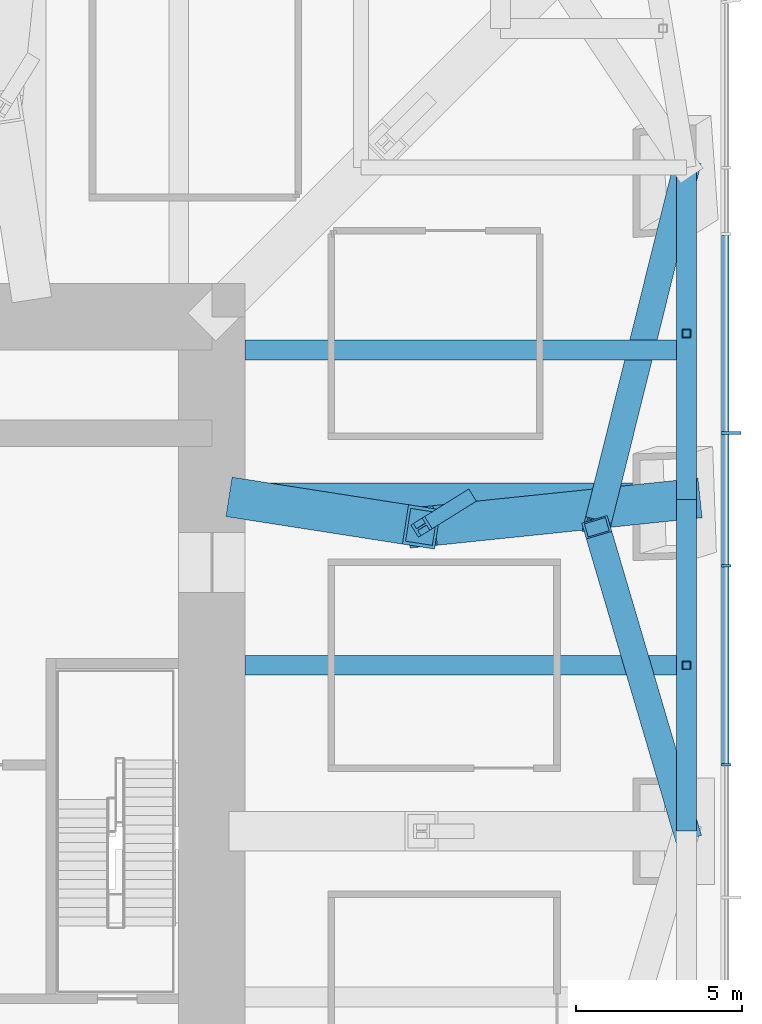
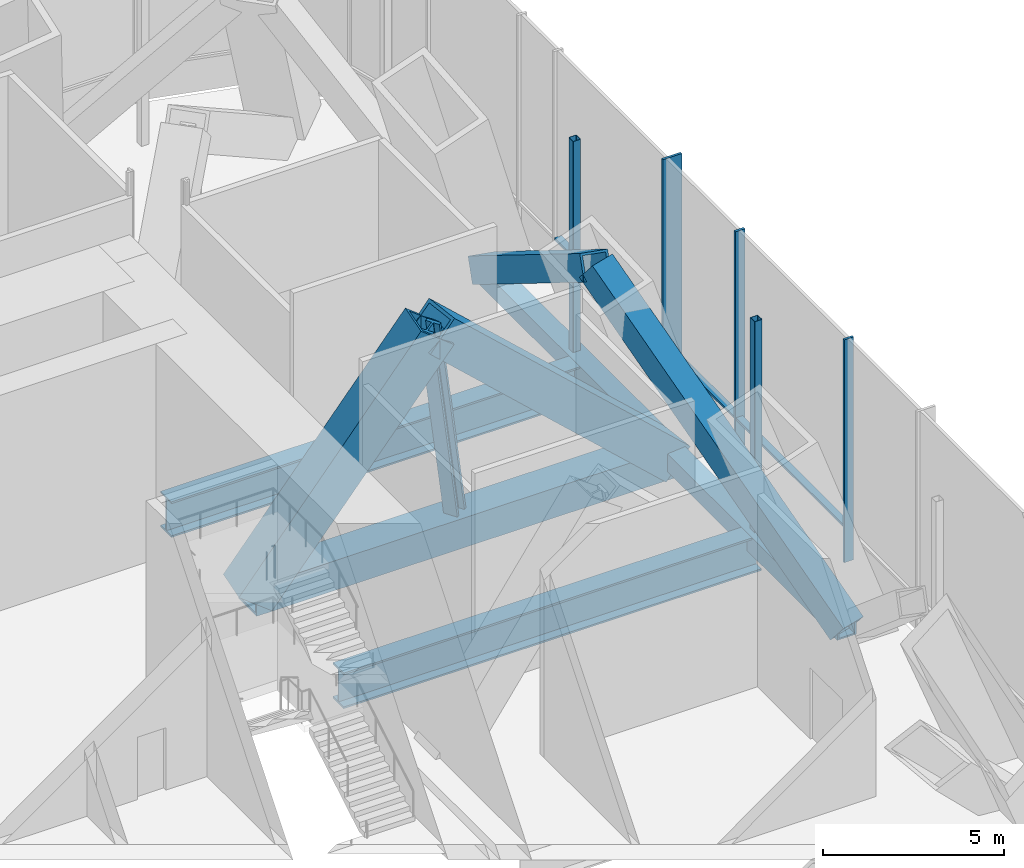
# One storey, part 8 of 20: 16 members, 2 beams, 1 element without a shape of its own.
"""IFC4 building model written with IfcOpenShell, lengths in metres."""

from ifc_helpers import new_model, si_unit, direction, frame, origin, origin_2d, place, context, subcontext, project, spatial, rectangle, hollow_rectangle, i_section, extrude, material, material_profile, profile_set, type_object, element, aggregate, save


model = new_model("IFC4")

# Units and contexts
model_context = context("Model", 3, precision=1e-05, world=origin(), true_north=direction((0.0, 1.0)))
body_context = subcontext(model_context, "Body", "Model", "MODEL_VIEW")
ifc_project = project(units=[si_unit("LENGTHUNIT", "METRE"), si_unit("AREAUNIT", "SQUARE_METRE"), si_unit("VOLUMEUNIT", "CUBIC_METRE"), si_unit("PLANEANGLEUNIT", "RADIAN"), si_unit("MASSUNIT", "GRAM", prefix="KILO")], contexts=[model_context])

# Site, building, storey
site_placement = place(None, origin())
site = spatial("IfcSite", under=ifc_project, at=site_placement, CompositionType="ELEMENT")
building_placement = place(site_placement, origin())
building = spatial("IfcBuilding", under=site, at=building_placement, Name="Khuree Lantern Residences", CompositionType="ELEMENT")
storey_placement = place(building_placement, frame((0.0, 0.0, 99.75)))
storey = spatial("IfcBuildingStorey", under=building, at=storey_placement, Name="L25", CompositionType="ELEMENT", Elevation=99.75)

# Beams
ifc_material_1 = material(Name="Steel S355", Category="steel")
ifc_material_profile_1 = material_profile(ifc_material_1, i_section(OverallWidth=0.60009765625, OverallDepth=1.199951171875, WebThickness=0.030029296875, FlangeThickness=0.06005859375, at=origin_2d()), Name="WELDED I 1200X600X30X60")
ifc_profile_set_1 = profile_set([ifc_material_profile_1], Name="Steel S355")
beam_type = type_object("IfcBeamType", Name="B-25 SECONDARY BEAM WELDED I 1200X600X30X60", PredefinedType="BEAM", material=ifc_profile_set_1)
for number, where, z_axis, x_axis, name in (
    (1, (29.800048828125, 14.5, -0.949951171875), (-1.0, 0.0, 0.0), (0.0, -1.0, 0.0), "Secondary beam E2"),
    (2, (29.800048828125, 5.0, -0.949951171875), (-1.0, 0.0, 0.0), (0.0, -1.0, 0.0), "Secondary beam E3"),
):
    element("IfcBeam", number, at=place(storey_placement, frame(where, z_axis=z_axis, x_axis=x_axis)), inside=storey, type_object=beam_type, Name=name, PredefinedType="BEAM", context=body_context, shape_type="SweptSolid", body=[
        extrude(i_section(OverallWidth=0.60009765625, OverallDepth=1.199951171875, WebThickness=0.030029296875, FlangeThickness=0.06005859375, at=origin_2d()), origin(), (0.0, 0.0, 1.0), 13.300048828125),
    ])

# Members
ifc_material_profile_2 = material_profile(ifc_material_1, hollow_rectangle(XDim=0.800048828125, YDim=0.800048828125, WallThickness=0.070068359375, at=origin_2d()), Name="WELDED BOX 800X800X70")
ifc_profile_set_2 = profile_set([ifc_material_profile_2], Name="Steel S355")
member_type_1 = type_object("IfcMemberType", Name="BD-25 BELT TRUSS DIAGONAL WELDED BOX 800X800X70", PredefinedType="BRACE", material=ifc_profile_set_2)
member_1_placement = place(storey_placement, frame((29.800048828125, 20.0, -0.64990234375), z_axis=(-0.199829234991, -0.802298387089, 0.562481621849), x_axis=(0.970354244709, -0.241687069936, 0.0)))
element("IfcMember", 3, at=member_1_placement, inside=storey, type_object=member_type_1, Name="Belt truss diagonal E2", PredefinedType="BRACE", context=body_context, shape_type="SweptSolid", body=[
    extrude(hollow_rectangle(XDim=0.800048828125, YDim=0.800048828125, WallThickness=0.070068359375, at=origin_2d()), origin(), (0.0, 0.0, 1.0), 13.51123046875),
])
member_2_placement = place(storey_placement, frame((27.10009765625, 9.159912109375, 6.949951171875), z_axis=(0.22122462626, -0.750531400006, -0.622705614509), x_axis=(0.959199239774, 0.282731000098, 0.0)))
element("IfcMember", 4, at=member_2_placement, inside=storey, type_object=member_type_1, Name="Belt truss diagonal E3", PredefinedType="BRACE", context=body_context, shape_type="SweptSolid", body=[
    extrude(hollow_rectangle(XDim=0.800048828125, YDim=0.800048828125, WallThickness=0.070068359375, at=origin_2d()), origin(), (0.0, 0.0, 1.0), 12.20458984375),
])
ifc_material_profile_3 = material_profile(ifc_material_1, hollow_rectangle(XDim=0.60009765625, YDim=0.60009765625, WallThickness=0.050048828125, at=origin_2d()), Name="WELDED BOX 600X600X50")
ifc_profile_set_3 = profile_set([ifc_material_profile_3], Name="Steel S355")
member_type_2 = type_object("IfcMemberType", Name="BT-25 BELT TRUSS CHORD WELDED BOX 600X600X50", PredefinedType="CHORD", material=ifc_profile_set_3)
for number, where, z_axis, x_axis, name in (
    (5, (29.800048828125, 20.0, -0.64990234375), (0.0, -1.0, 0.0), (1.0, 0.0, 0.0), "Belt truss chord E2"),
    (6, (29.800048828125, 10.0, -0.64990234375), (0.0, -1.0, 0.0), (1.0, 0.0, 0.0), "Belt truss chord E3"),
):
    element("IfcMember", number, at=place(storey_placement, frame(where, z_axis=z_axis, x_axis=x_axis)), inside=storey, type_object=member_type_2, Name=name, PredefinedType="CHORD", context=body_context, shape_type="SweptSolid", body=[
        extrude(hollow_rectangle(XDim=0.60009765625, YDim=0.60009765625, WallThickness=0.050048828125, at=origin_2d()), origin(), (0.0, 0.0, 1.0), 10.0),
    ])

# Curtain wall, members
ifc_material_2 = material(Name="Bronze anodised aluminium", Category="aluminium")
curtain_wall_type = type_object("IfcCurtainWallType", Name="CW-G PLANT STOREY LOUVRED CURTAIN WALL", PredefinedType="USERDEFINED", material=ifc_material_2)
curtain_wall_placement = place(storey_placement, origin())
curtain_wall = element("IfcCurtainWall", 7, at=curtain_wall_placement, inside=storey, type_object=curtain_wall_type, Name="L25 EAST FACE CURTAIN WALL", ObjectType="Louvred curtain wall", PredefinedType="USERDEFINED")
ifc_material_profile_4 = material_profile(ifc_material_2, rectangle(XDim=0.080078125, YDim=0.60009765625, at=origin_2d()), Name="F2 80X600")
ifc_profile_set_4 = profile_set([ifc_material_profile_4], Name="Bronze anodised aluminium")
member_type_3 = type_object("IfcMemberType", Name="F2 BRONZE FIN MULLION PLANT 80X600", PredefinedType="MULLION", material=ifc_profile_set_4)
member_3_placement = place(storey_placement, frame((31.14990234375, 12.0, 0.0), z_axis=(0.0, 0.0, 1.0), x_axis=(0.0, 1.0, 0.0)))
member_3 = element("IfcMember", 8, at=member_3_placement, type_object=member_type_3, Name="L25 EAST FACE FIN MULLION 12", PredefinedType="MULLION", context=body_context, shape_type="SweptSolid", body=[
    extrude(rectangle(XDim=0.080078125, YDim=0.60009765625, at=origin_2d()), origin(), (0.0, 0.0, 1.0), 7.5),
])
ifc_material_profile_5 = material_profile(ifc_material_2, rectangle(XDim=0.080078125, YDim=0.300048828125, at=origin_2d()), Name="M2 80X300")
ifc_profile_set_5 = profile_set([ifc_material_profile_5], Name="Bronze anodised aluminium")
member_type_4 = type_object("IfcMemberType", Name="MULLION M2 PLANT 80X300", PredefinedType="MULLION", material=ifc_profile_set_5)
member_4_placement = place(storey_placement, frame((31.0, 2.0, 0.0), z_axis=(0.0, 0.0, 1.0), x_axis=(0.0, 1.0, 0.0)))
member_4 = element("IfcMember", 9, at=member_4_placement, type_object=member_type_4, Name="L25 EAST FACE MULLION 10", PredefinedType="MULLION", context=body_context, shape_type="SweptSolid", body=[
    extrude(rectangle(XDim=0.080078125, YDim=0.300048828125, at=origin_2d()), origin(), (0.0, 0.0, 1.0), 7.5),
])
member_5_placement = place(storey_placement, frame((31.0, 8.0, 0.0), z_axis=(0.0, 0.0, 1.0), x_axis=(0.0, 1.0, 0.0)))
member_5 = element("IfcMember", 10, at=member_5_placement, type_object=member_type_4, Name="L25 EAST FACE MULLION 11", PredefinedType="MULLION", context=body_context, shape_type="SweptSolid", body=[
    extrude(rectangle(XDim=0.080078125, YDim=0.300048828125, at=origin_2d()), origin(), (0.0, 0.0, 1.0), 7.5),
])

# Members
ifc_material_profile_6 = material_profile(ifc_material_1, hollow_rectangle(XDim=1.199951171875, YDim=1.199951171875, WallThickness=0.10009765625, at=origin_2d()), Name="WELDED BOX 1200X1200X100")
ifc_profile_set_6 = profile_set([ifc_material_profile_6], Name="Steel S355")
member_type_5 = type_object("IfcMemberType", Name="OD-25 OUTRIGGER TRUSS DIAGONAL WELDED BOX 1200X1200X100", PredefinedType="BRACE", material=ifc_profile_set_6)
member_6_placement = place(storey_placement, frame((16.5, 10.0, -0.85009765625), z_axis=(0.571028170987, -0.089001957603, 0.81609158768), x_axis=(0.154003250743, 0.988070340998, 0.0)))
element("IfcMember", 11, at=member_6_placement, inside=storey, type_object=member_type_5, Name="Outrigger diagonal E2 core side", PredefinedType="BRACE", context=body_context, shape_type="SweptSolid", body=[
    extrude(hollow_rectangle(XDim=1.199951171875, YDim=1.199951171875, WallThickness=0.10009765625, at=origin_2d()), origin(), (0.0, 0.0, 1.0), 9.312744140625),
])
member_7_placement = place(storey_placement, frame((21.81787109375, 9.171142578125, 6.75), z_axis=(0.722188208122, 0.074990945606, -0.687619480619), x_axis=(-0.103283178244, 0.994651991951, 0.0)))
element("IfcMember", 12, at=member_7_placement, inside=storey, type_object=member_type_5, Name="Outrigger diagonal E2 column side", PredefinedType="BRACE", context=body_context, shape_type="SweptSolid", body=[
    extrude(hollow_rectangle(XDim=1.199951171875, YDim=1.199951171875, WallThickness=0.10009765625, at=origin_2d()), origin(), (0.0, 0.0, 1.0), 11.052734375),
])
ifc_material_profile_7 = material_profile(ifc_material_1, i_section(OverallWidth=0.431884765625, OverallDepth=0.498046875, WebThickness=0.0556640625, FlangeThickness=0.0888671875, FilletRadius=0.014892578125, at=origin_2d()), Name="HD 400X744")
ifc_profile_set_7 = profile_set([ifc_material_profile_7], Name="Steel S355")
member_type_6 = type_object("IfcMemberType", Name="OP-25 OUTRIGGER TRUSS POST HD 400X744", PredefinedType="POST", material=ifc_profile_set_7)
member_8_placement = place(storey_placement, frame((23.14990234375, 10.0, -0.85009765625), z_axis=(-0.171646105966, -0.106806915278, 0.979351773958), x_axis=(0.528319337489, -0.849045745314, 0.0)))
element("IfcMember", 13, at=member_8_placement, inside=storey, type_object=member_type_6, Name="Outrigger post E2", PredefinedType="POST", context=body_context, shape_type="SweptSolid", body=[
    extrude(i_section(OverallWidth=0.431884765625, OverallDepth=0.498046875, WebThickness=0.0556640625, FlangeThickness=0.0888671875, FilletRadius=0.014892578125, at=origin_2d()), origin(), (0.0, 0.0, 1.0), 7.76025390625),
])
ifc_material_profile_8 = material_profile(ifc_material_1, hollow_rectangle(XDim=1.0, YDim=1.0, WallThickness=0.080078125, at=origin_2d()), Name="WELDED BOX 1000X1000X80")
ifc_profile_set_8 = profile_set([ifc_material_profile_8], Name="Steel S355")
member_type_7 = type_object("IfcMemberType", Name="OT-25 OUTRIGGER TRUSS CHORD WELDED BOX 1000X1000X80", PredefinedType="CHORD", material=ifc_profile_set_8)
member_9_placement = place(storey_placement, frame((29.800048828125, 10.0, -0.85009765625), z_axis=(-1.0, 0.0, 0.0), x_axis=(0.0, -1.0, 0.0)))
element("IfcMember", 14, at=member_9_placement, inside=storey, type_object=member_type_7, Name="Outrigger chord E2", PredefinedType="CHORD", context=body_context, shape_type="SweptSolid", body=[
    extrude(hollow_rectangle(XDim=1.0, YDim=1.0, WallThickness=0.080078125, at=origin_2d()), origin(), (0.0, 0.0, 1.0), 13.300048828125),
])
ifc_material_profile_9 = material_profile(ifc_material_1, hollow_rectangle(XDim=0.25, YDim=0.25, WallThickness=0.012451171875, InnerFilletRadius=0.012451171875, OuterFilletRadius=0.018798828125, at=origin_2d()), Name="SHS 250X250X12.5")
ifc_profile_set_9 = profile_set([ifc_material_profile_9], Name="Steel S355")
member_type_8 = type_object("IfcMemberType", Name="TP1 TERRACE POST SHS 250X250X12.5", PredefinedType="POST", material=ifc_profile_set_9)
for number, where, z_axis, x_axis, name in (
    (15, (29.800048828125, 15.0, -0.35009765625), (0.0, 0.0, 1.0), (1.0, 0.0, 0.0), "Terrace post E2"),
    (16, (29.800048828125, 5.0, -0.35009765625), (0.0, 0.0, 1.0), (1.0, 0.0, 0.0), "Terrace post E3"),
):
    element("IfcMember", number, at=place(storey_placement, frame(where, z_axis=z_axis, x_axis=x_axis)), inside=storey, type_object=member_type_8, Name=name, PredefinedType="POST", context=body_context, shape_type="SweptSolid", body=[
        extrude(hollow_rectangle(XDim=0.25, YDim=0.25, WallThickness=0.012451171875, InnerFilletRadius=0.012451171875, OuterFilletRadius=0.018798828125, at=origin_2d()), origin(), (0.0, 0.0, 1.0), 7.10009765625),
    ])

# Member
ifc_material_profile_10 = material_profile(ifc_material_2, rectangle(XDim=0.219970703125, YDim=0.080078125, at=origin_2d()), Name="T2 220X80")
ifc_profile_set_10 = profile_set([ifc_material_profile_10], Name="Bronze anodised aluminium")
member_type_9 = type_object("IfcMemberType", Name="TRANSOM T2 PLANT 220X80", PredefinedType="USERDEFINED", material=ifc_profile_set_10)
member_10_placement = place(storey_placement, frame((30.969970703125, 2.0400390625, 1.199951171875), z_axis=(0.0, 1.0, 0.0), x_axis=(-1.0, 0.0, 0.0)))
member_10 = element("IfcMember", 17, at=member_10_placement, type_object=member_type_9, Name="L25 EAST FACE TRANSOM 10.1", ObjectType="Transom", PredefinedType="USERDEFINED", context=body_context, shape_type="SweptSolid", body=[
    extrude(rectangle(XDim=0.219970703125, YDim=0.080078125, at=origin_2d()), origin(), (0.0, 0.0, 1.0), 5.919921875),
])

member_11_placement = place(storey_placement, frame((30.969970703125, 8.0400390625, 1.199951171875), z_axis=(0.0, 1.0, 0.0), x_axis=(-1.0, 0.0, 0.0)))
member_11 = element("IfcMember", 18, at=member_11_placement, type_object=member_type_9, Name="L25 EAST FACE TRANSOM 11.1", ObjectType="Transom", PredefinedType="USERDEFINED", context=body_context, shape_type="SweptSolid", body=[
    extrude(rectangle(XDim=0.219970703125, YDim=0.080078125, at=origin_2d()), origin(), (0.0, 0.0, 1.0), 3.919921875),
])

member_12_placement = place(storey_placement, frame((30.969970703125, 12.0400390625, 1.199951171875), z_axis=(0.0, 1.0, 0.0), x_axis=(-1.0, 0.0, 0.0)))
member_12 = element("IfcMember", 19, at=member_12_placement, type_object=member_type_9, Name="L25 EAST FACE TRANSOM 12.1", ObjectType="Transom", PredefinedType="USERDEFINED", context=body_context, shape_type="SweptSolid", body=[
    extrude(rectangle(XDim=0.219970703125, YDim=0.080078125, at=origin_2d()), origin(), (0.0, 0.0, 1.0), 5.919921875),
])

aggregate(curtain_wall, [member_4, member_5, member_3, member_10, member_11, member_12])

save(model, "model.ifc")
